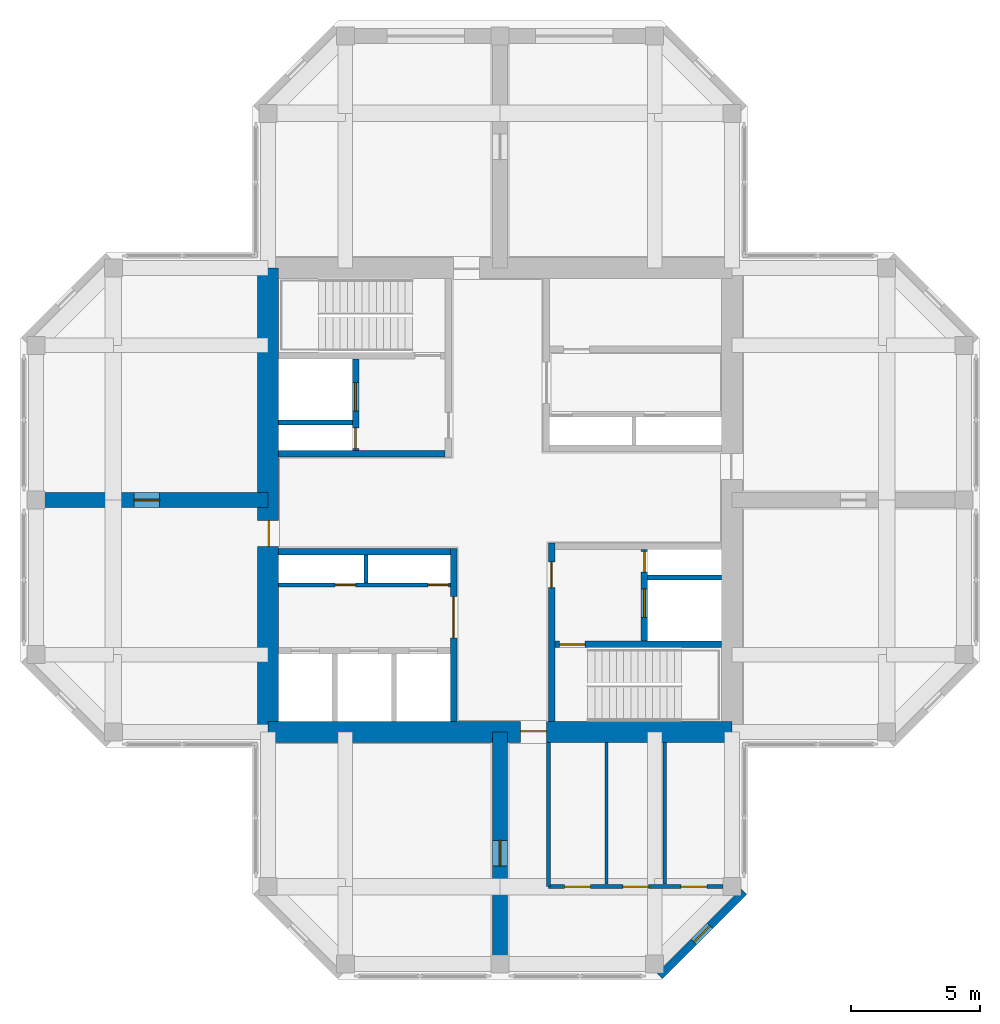
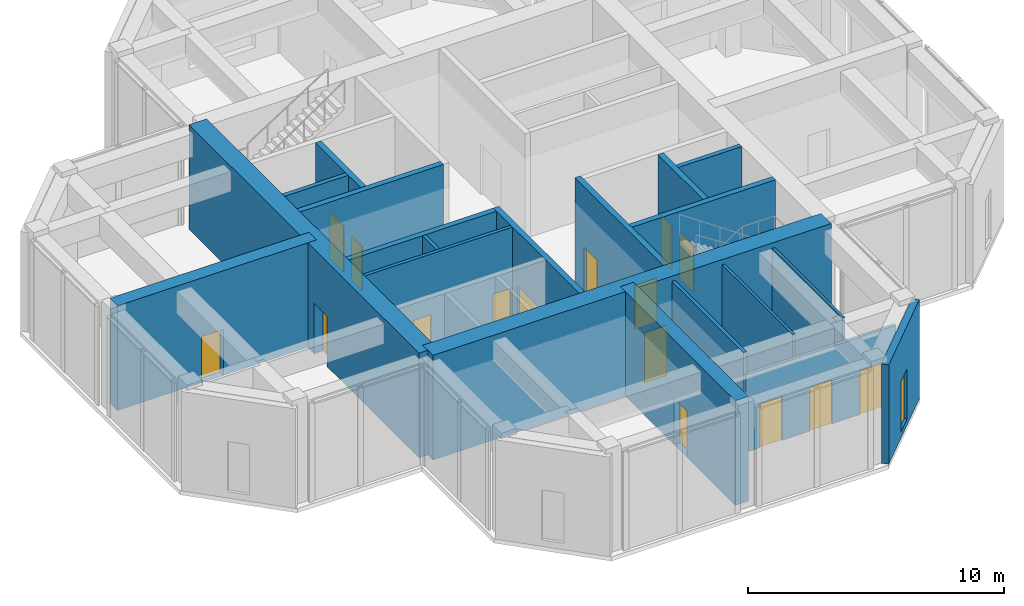
# One storey, part 5 of 8: 20 walls, 16 doors, 1 window, 17 openings.
"""IFC4 building model written with IfcOpenShell, lengths in metres."""

from ifc_helpers import new_model, si_unit, direction, frame, frame_2d, origin, place, context, subcontext, project, spatial, rectangle, hollow_rectangle, extrude, material, layer, layer_set, constituent, constituent_set, type_object, element, fill, save


model = new_model("IFC4")

# Units and contexts
model_context = context("Model", 3, precision=1e-05, world=origin(), true_north=direction((0.0, 1.0)))
body_context = subcontext(model_context, "Body", "Model", "MODEL_VIEW")
ifc_project = project(units=[si_unit("LENGTHUNIT", "METRE"), si_unit("AREAUNIT", "SQUARE_METRE"), si_unit("VOLUMEUNIT", "CUBIC_METRE"), si_unit("PLANEANGLEUNIT", "RADIAN"), si_unit("MASSUNIT", "GRAM", prefix="KILO")], contexts=[model_context])

# Site, building, storey
site_placement = place(None, origin())
site = spatial("IfcSite", under=ifc_project, at=site_placement, CompositionType="ELEMENT")
building_placement = place(site_placement, origin())
building = spatial("IfcBuilding", under=site, at=building_placement, Name="Torre Cruceta", CompositionType="ELEMENT")
storey_placement = place(building_placement, frame((0.0, 0.0, 288.300048828125)))
storey = spatial("IfcBuildingStorey", under=building, at=storey_placement, Name="L75", CompositionType="ELEMENT", Elevation=288.300048828125)

# Wall
ifc_material_1 = material(Name="Concrete G60 (fck 60 MPa)", Category="concrete")
ifc_layer_1 = layer(ifc_material_1, 0.25)
ifc_layer_set_1 = layer_set([ifc_layer_1], Name="Concrete G60 (fck 60 MPa)")
wall_type_1 = type_object("IfcWallType", Name="CORE INNER WALL 250 G60", PredefinedType="SHEAR", material=ifc_layer_set_1)
wall_1_placement = place(storey_placement, frame((-2.125, 1.800048828125, 0.0), z_axis=(0.0, 0.0, 1.0), x_axis=(-1.0, 0.0, 0.0)))
element("IfcWall", 1, at=wall_1_placement, inside=storey, type_object=wall_type_1, Name="CW4 L75 NW-CV", PredefinedType="SHEAR", context=body_context, shape_type="SweptSolid", body=[
    extrude(rectangle(XDim=6.47509765625, YDim=0.25, at=frame_2d((3.237548828125, 0.0))), origin(), (0.0, 0.0, 1.0), 5.0),
])

# Wall, openings, doors
wall_2_placement = place(storey_placement, frame((-5.60009765625, 1.925048828125, 0.0), z_axis=(0.0, 0.0, 1.0), x_axis=(0.0, 1.0, 0.0)))
wall_2 = element("IfcWall", 2, at=wall_2_placement, inside=storey, type_object=wall_type_1, Name="CW4 L75 NW-FU", PredefinedType="SHEAR", context=body_context, shape_type="SweptSolid", body=[
    extrude(rectangle(XDim=3.550048828125, YDim=0.25, at=frame_2d((1.77490234375, 0.0))), origin(), (0.0, 0.0, 1.0), 5.0),
])
opening_1_placement = place(wall_2_placement, frame((1.52490234375, 0.0, 0.0)))
opening_1 = element("IfcOpeningElement", 3, at=opening_1_placement, cuts=wall_2, Name="Opening LD1", PredefinedType="OPENING", context=body_context, shape_type="SweptSolid", body=[
    extrude(rectangle(XDim=1.10009765625, YDim=2.199951171875, at=frame_2d((0.550048828125, 1.10009765625))), frame((0.0, 0.135009765625, 0.0), z_axis=(0.0, -1.0, 0.0), x_axis=(1.0, 0.0, 0.0)), (0.0, 0.0, 1.0), 0.27001953125),
])
opening_2_placement = place(wall_2_placement, frame((0.074951171875, 0.0, 0.0)))
opening_2 = element("IfcOpeningElement", 4, at=opening_2_placement, cuts=wall_2, Name="Opening D5", PredefinedType="OPENING", context=body_context, shape_type="SweptSolid", body=[
    extrude(rectangle(XDim=0.800048828125, YDim=2.10009765625, at=frame_2d((0.39990234375, 1.050048828125))), frame((0.0, 0.135009765625, 0.0), z_axis=(0.0, -1.0, 0.0), x_axis=(1.0, 0.0, 0.0)), (0.0, 0.0, 1.0), 0.27001953125),
])
ifc_material_2 = material(Name="Stainless steel 1.4401", Category="steel")
door_type_1 = type_object("IfcDoorType", Name="LIFT LANDING DOOR 1100X2200", OperationType="DOUBLE_DOOR_SLIDING", PredefinedType="DOOR", material=ifc_material_2)
door_1_placement = place(opening_1_placement, origin())
door_1 = element("IfcDoor", 5, at=door_1_placement, inside=storey, type_object=door_type_1, Name="Lift landing door FL1", OperationType="DOUBLE_DOOR_SLIDING", OverallHeight=2.199951171875, OverallWidth=1.10009765625, PredefinedType="DOOR", context=body_context, shape_type="SweptSolid", body=[
    extrude(rectangle(XDim=1.10009765625, YDim=2.199951171875, at=frame_2d((0.550048828125, 1.10009765625))), frame((0.0, 0.02490234375, 0.0), z_axis=(0.0, -1.0, 0.0), x_axis=(1.0, 0.0, 0.0)), (0.0, 0.0, 1.0), 0.050048828125),
])
fill(opening_1, door_1)
ifc_material_3 = material(Name="Steel DX51D", Category="steel")
ifc_constituent_1 = constituent(ifc_material_3, Name="Leaf and frame")
ifc_material_4 = material(Name="Polyester powder coating", Category="paint")
ifc_constituent_2 = constituent(ifc_material_4, Name="Finish")
ifc_constituent_set_1 = constituent_set(constituents=[ifc_constituent_1, ifc_constituent_2], Name="Steel fire door")
door_type_2 = type_object("IfcDoorType", Name="RISER ACCESS DOOR 800X2100", OperationType="SINGLE_SWING_LEFT", PredefinedType="DOOR", material=ifc_constituent_set_1)
door_2_placement = place(opening_2_placement, origin())
door_2 = element("IfcDoor", 6, at=door_2_placement, inside=storey, type_object=door_type_2, Name="D5 L75 NW-RISER", OperationType="SINGLE_SWING_LEFT", OverallHeight=2.10009765625, OverallWidth=0.800048828125, PredefinedType="DOOR", context=body_context, shape_type="SweptSolid", body=[
    extrude(rectangle(XDim=0.800048828125, YDim=2.10009765625, at=frame_2d((0.39990234375, 1.050048828125))), frame((0.0, 0.02490234375, 0.0), z_axis=(0.0, -1.0, 0.0), x_axis=(1.0, 0.0, 0.0)), (0.0, 0.0, 1.0), 0.050048828125),
])
fill(opening_2, door_2)

# Wall, opening, door
wall_3_placement = place(storey_placement, frame((-1.800048828125, -1.875, 0.0), z_axis=(0.0, 0.0, 1.0), x_axis=(0.0, -1.0, 0.0)))
wall_3 = element("IfcWall", 7, at=wall_3_placement, inside=storey, type_object=wall_type_1, Name="CW4 L75 SW-CU", PredefinedType="SHEAR", context=body_context, shape_type="SweptSolid", body=[
    extrude(rectangle(XDim=6.72509765625, YDim=0.25, at=frame_2d((3.362548828125, 0.0))), origin(), (0.0, 0.0, 1.0), 5.0),
])
opening_3_placement = place(wall_3_placement, frame((1.875, 0.0, 0.0)))
opening_3 = element("IfcOpeningElement", 8, at=opening_3_placement, cuts=wall_3, Name="Opening D8", PredefinedType="OPENING", context=body_context, shape_type="SweptSolid", body=[
    extrude(rectangle(XDim=1.60009765625, YDim=2.39990234375, at=frame_2d((0.800048828125, 1.199951171875))), frame((0.0, 0.135009765625, 0.0), z_axis=(0.0, -1.0, 0.0), x_axis=(1.0, 0.0, 0.0)), (0.0, 0.0, 1.0), 0.27001953125),
])
ifc_material_5 = material(Name="Steel DX51D", Category="steel")
ifc_constituent_3 = constituent(ifc_material_5, Name="Leaf and frame")
ifc_material_6 = material(Name="Polyester powder coating", Category="paint")
ifc_constituent_4 = constituent(ifc_material_6, Name="Finish")
ifc_material_7 = material(Name="Fire-resisting glass", Category="glass")
ifc_constituent_5 = constituent(ifc_material_7, Name="Vision panel")
ifc_constituent_set_2 = constituent_set(constituents=[ifc_constituent_3, ifc_constituent_4, ifc_constituent_5], Name="Steel fire door with vision panels")
door_type_3 = type_object("IfcDoorType", Name="LIFT LOBBY DOUBLE DOOR 1600X2400", OperationType="DOUBLE_DOOR_DOUBLE_SWING", PredefinedType="DOOR", material=ifc_constituent_set_2)
door_3_placement = place(opening_3_placement, origin())
door_3 = element("IfcDoor", 9, at=door_3_placement, inside=storey, type_object=door_type_3, Name="D8 L75 SW-LOBBY", OperationType="DOUBLE_DOOR_DOUBLE_SWING", OverallHeight=2.39990234375, OverallWidth=1.60009765625, PredefinedType="DOOR", context=body_context, shape_type="SweptSolid", body=[
    extrude(rectangle(XDim=1.60009765625, YDim=2.39990234375, at=frame_2d((0.800048828125, 1.199951171875))), frame((0.0, 0.02490234375, 0.0), z_axis=(0.0, -1.0, 0.0), x_axis=(1.0, 0.0, 0.0)), (0.0, 0.0, 1.0), 0.050048828125),
])
fill(opening_3, door_3)

# Wall
wall_4_placement = place(storey_placement, frame((-1.925048828125, -2.0, 0.0), z_axis=(0.0, 0.0, 1.0), x_axis=(-1.0, 0.0, 0.0)))
element("IfcWall", 10, at=wall_4_placement, inside=storey, type_object=wall_type_1, Name="CW4 L75 SW-CV", PredefinedType="SHEAR", context=body_context, shape_type="SweptSolid", body=[
    extrude(rectangle(XDim=6.675048828125, YDim=0.25, at=frame_2d((3.33740234375, 0.0))), origin(), (0.0, 0.0, 1.0), 5.0),
])

# Wall, opening, door
wall_5_placement = place(storey_placement, frame((2.0, -1.675048828125, 0.0), z_axis=(0.0, 0.0, 1.0), x_axis=(0.0, -1.0, 0.0)))
wall_5 = element("IfcWall", 11, at=wall_5_placement, inside=storey, type_object=wall_type_1, Name="CW4 L75 SE-CU", PredefinedType="SHEAR", context=body_context, shape_type="SweptSolid", body=[
    extrude(rectangle(XDim=6.925048828125, YDim=0.25, at=frame_2d((3.46240234375, 0.0))), origin(), (0.0, 0.0, 1.0), 5.0),
])
opening_4_placement = place(wall_5_placement, frame((0.72509765625, 0.0, 0.0)))
opening_4 = element("IfcOpeningElement", 12, at=opening_4_placement, cuts=wall_5, Name="Opening D3", PredefinedType="OPENING", context=body_context, shape_type="SweptSolid", body=[
    extrude(rectangle(XDim=1.0, YDim=2.10009765625, at=frame_2d((0.5, 1.050048828125))), frame((0.0, 0.135009765625, 0.0), z_axis=(0.0, -1.0, 0.0), x_axis=(1.0, 0.0, 0.0)), (0.0, 0.0, 1.0), 0.27001953125),
])
ifc_material_8 = material(Name="Steel DX51D", Category="steel")
ifc_constituent_6 = constituent(ifc_material_8, Name="Leaf and frame")
ifc_material_9 = material(Name="Polyester powder coating", Category="paint")
ifc_constituent_7 = constituent(ifc_material_9, Name="Finish")
ifc_constituent_set_3 = constituent_set(constituents=[ifc_constituent_6, ifc_constituent_7], Name="Steel fire door")
door_type_4 = type_object("IfcDoorType", Name="FIRE DOOR 1000X2100", OperationType="SINGLE_SWING_LEFT", PredefinedType="DOOR", material=ifc_constituent_set_3)
door_4_placement = place(opening_4_placement, origin())
door_4 = element("IfcDoor", 13, at=door_4_placement, inside=storey, type_object=door_type_4, Name="D3 L75 SE-LOBBY", OperationType="SINGLE_SWING_LEFT", OverallHeight=2.10009765625, OverallWidth=1.0, PredefinedType="DOOR", context=body_context, shape_type="SweptSolid", body=[
    extrude(rectangle(XDim=1.0, YDim=2.10009765625, at=frame_2d((0.5, 1.050048828125))), frame((0.0, 0.02490234375, 0.0), z_axis=(0.0, -1.0, 0.0), x_axis=(1.0, 0.0, 0.0)), (0.0, 0.0, 1.0), 0.050048828125),
])
fill(opening_4, door_4)

wall_6_placement = place(storey_placement, frame((2.125, -5.60009765625, 0.0), z_axis=(0.0, 0.0, 1.0), x_axis=(1.0, 0.0, 0.0)))
wall_6 = element("IfcWall", 14, at=wall_6_placement, inside=storey, type_object=wall_type_1, Name="CW4 L75 SE-SV", PredefinedType="SHEAR", context=body_context, shape_type="SweptSolid", body=[
    extrude(rectangle(XDim=6.47509765625, YDim=0.25, at=frame_2d((3.237548828125, 0.0))), origin(), (0.0, 0.0, 1.0), 5.0),
])
opening_5_placement = place(wall_6_placement, frame((0.175048828125, 0.0, 0.0)))
opening_5 = element("IfcOpeningElement", 15, at=opening_5_placement, cuts=wall_6, Name="Opening D3", PredefinedType="OPENING", context=body_context, shape_type="SweptSolid", body=[
    extrude(rectangle(XDim=1.0, YDim=2.10009765625, at=frame_2d((0.5, 1.050048828125))), frame((0.0, 0.135009765625, 0.0), z_axis=(0.0, -1.0, 0.0), x_axis=(1.0, 0.0, 0.0)), (0.0, 0.0, 1.0), 0.27001953125),
])
door_5_placement = place(opening_5_placement, frame((1.0, 0.0, 0.0), z_axis=(0.0, 0.0, 1.0), x_axis=(-1.0, 0.0, 0.0)))
door_5 = element("IfcDoor", 16, at=door_5_placement, inside=storey, type_object=door_type_4, Name="D3 L75 SE-STAIR", OperationType="SINGLE_SWING_RIGHT", OverallHeight=2.10009765625, OverallWidth=1.0, PredefinedType="DOOR", context=body_context, shape_type="SweptSolid", body=[
    extrude(rectangle(XDim=1.0, YDim=2.10009765625, at=frame_2d((0.5, 1.050048828125))), frame((0.0, 0.025146484375, 0.0), z_axis=(0.0, -1.0, 0.0), x_axis=(1.0, 0.0, 0.0)), (0.0, 0.0, 1.0), 0.050048828125),
])
fill(opening_5, door_5)

# Wall, openings, doors
wall_7_placement = place(storey_placement, frame((5.60009765625, -1.925048828125, 0.0), z_axis=(0.0, 0.0, 1.0), x_axis=(0.0, -1.0, 0.0)))
wall_7 = element("IfcWall", 17, at=wall_7_placement, inside=storey, type_object=wall_type_1, Name="CW4 L75 SE-FU", PredefinedType="SHEAR", context=body_context, shape_type="SweptSolid", body=[
    extrude(rectangle(XDim=3.550048828125, YDim=0.25, at=frame_2d((1.77490234375, 0.0))), origin(), (0.0, 0.0, 1.0), 5.0),
])
opening_6_placement = place(wall_7_placement, frame((1.52490234375, 0.0, 0.0)))
opening_6 = element("IfcOpeningElement", 18, at=opening_6_placement, cuts=wall_7, Name="Opening LD1", PredefinedType="OPENING", context=body_context, shape_type="SweptSolid", body=[
    extrude(rectangle(XDim=1.10009765625, YDim=2.199951171875, at=frame_2d((0.550048828125, 1.10009765625))), frame((0.0, 0.135009765625, 0.0), z_axis=(0.0, -1.0, 0.0), x_axis=(1.0, 0.0, 0.0)), (0.0, 0.0, 1.0), 0.27001953125),
])
opening_7_placement = place(wall_7_placement, frame((0.074951171875, 0.0, 0.0)))
opening_7 = element("IfcOpeningElement", 19, at=opening_7_placement, cuts=wall_7, Name="Opening D5", PredefinedType="OPENING", context=body_context, shape_type="SweptSolid", body=[
    extrude(rectangle(XDim=0.800048828125, YDim=2.10009765625, at=frame_2d((0.39990234375, 1.050048828125))), frame((0.0, 0.135009765625, 0.0), z_axis=(0.0, -1.0, 0.0), x_axis=(1.0, 0.0, 0.0)), (0.0, 0.0, 1.0), 0.27001953125),
])
door_6_placement = place(opening_6_placement, origin())
door_6 = element("IfcDoor", 20, at=door_6_placement, inside=storey, type_object=door_type_1, Name="Lift landing door FL2", OperationType="DOUBLE_DOOR_SLIDING", OverallHeight=2.199951171875, OverallWidth=1.10009765625, PredefinedType="DOOR", context=body_context, shape_type="SweptSolid", body=[
    extrude(rectangle(XDim=1.10009765625, YDim=2.199951171875, at=frame_2d((0.550048828125, 1.10009765625))), frame((0.0, 0.02490234375, 0.0), z_axis=(0.0, -1.0, 0.0), x_axis=(1.0, 0.0, 0.0)), (0.0, 0.0, 1.0), 0.050048828125),
])
fill(opening_6, door_6)
door_7_placement = place(opening_7_placement, origin())
door_7 = element("IfcDoor", 21, at=door_7_placement, inside=storey, type_object=door_type_2, Name="D5 L75 SE-RISER", OperationType="SINGLE_SWING_LEFT", OverallHeight=2.10009765625, OverallWidth=0.800048828125, PredefinedType="DOOR", context=body_context, shape_type="SweptSolid", body=[
    extrude(rectangle(XDim=0.800048828125, YDim=2.10009765625, at=frame_2d((0.39990234375, 1.050048828125))), frame((0.0, 0.02490234375, 0.0), z_axis=(0.0, -1.0, 0.0), x_axis=(1.0, 0.0, 0.0)), (0.0, 0.0, 1.0), 0.050048828125),
])
fill(opening_7, door_7)

# Wall, opening, door
ifc_material_10 = material(Name="Concrete G60 (fck 60 MPa)", Category="concrete")
ifc_layer_2 = layer(ifc_material_10, 0.800048828125)
ifc_layer_set_2 = layer_set([ifc_layer_2], Name="Concrete G60 (fck 60 MPa)")
wall_type_2 = type_object("IfcWallType", Name="CORE WALL 800 G60", PredefinedType="SHEAR", material=ifc_layer_set_2)
wall_8_placement = place(storey_placement, frame((-9.0, -9.0, 0.0), z_axis=(0.0, 0.0, 1.0), x_axis=(1.0, 0.0, 0.0)))
wall_8 = element("IfcWall", 22, at=wall_8_placement, inside=storey, type_object=wall_type_2, Name="CW3 L75 CW-S", PredefinedType="SHEAR", context=body_context, shape_type="SweptSolid", body=[
    extrude(rectangle(XDim=18.0, YDim=0.800048828125, at=frame_2d((9.0, 0.0))), origin(), (0.0, 0.0, 1.0), 5.0),
])
opening_8_placement = place(wall_8_placement, frame((9.800048828125, 0.0, 0.0)))
opening_8 = element("IfcOpeningElement", 23, at=opening_8_placement, cuts=wall_8, Name="Opening D4", PredefinedType="OPENING", context=body_context, shape_type="SweptSolid", body=[
    extrude(rectangle(XDim=1.0, YDim=2.39990234375, at=frame_2d((0.5, 1.199951171875))), frame((0.0, 0.409912109375, 0.0), z_axis=(0.0, -1.0, 0.0), x_axis=(1.0, 0.0, 0.0)), (0.0, 0.0, 1.0), 0.820068359375),
])
ifc_material_11 = material(Name="Steel DX51D", Category="steel")
ifc_constituent_8 = constituent(ifc_material_11, Name="Leaf and frame")
ifc_material_12 = material(Name="Polyester powder coating", Category="paint")
ifc_constituent_9 = constituent(ifc_material_12, Name="Finish")
ifc_constituent_set_4 = constituent_set(constituents=[ifc_constituent_8, ifc_constituent_9], Name="Steel fire door")
door_type_5 = type_object("IfcDoorType", Name="CORE ARM DOOR 1000X2400", OperationType="SINGLE_SWING_RIGHT", PredefinedType="DOOR", material=ifc_constituent_set_4)
door_8_placement = place(opening_8_placement, frame((1.0, 0.0, 0.0), z_axis=(0.0, 0.0, 1.0), x_axis=(-1.0, 0.0, 0.0)))
door_8 = element("IfcDoor", 24, at=door_8_placement, inside=storey, type_object=door_type_5, Name="D4 L75 CW-S", OperationType="SINGLE_SWING_LEFT", OverallHeight=2.39990234375, OverallWidth=1.0, PredefinedType="DOOR", context=body_context, shape_type="SweptSolid", body=[
    extrude(rectangle(XDim=1.0, YDim=2.39990234375, at=frame_2d((0.5, 1.199951171875))), frame((0.0, -0.005126953125, 0.0), z_axis=(0.0, -1.0, 0.0), x_axis=(1.0, 0.0, 0.0)), (0.0, 0.0, 1.0), 0.050048828125),
])
fill(opening_8, door_8)

wall_9_placement = place(storey_placement, frame((-9.0, 9.0, 0.0), z_axis=(0.0, 0.0, 1.0), x_axis=(0.0, -1.0, 0.0)))
wall_9 = element("IfcWall", 25, at=wall_9_placement, inside=storey, type_object=wall_type_2, Name="CW3 L75 CW-W", PredefinedType="SHEAR", context=body_context, shape_type="SweptSolid", body=[
    extrude(rectangle(XDim=18.0, YDim=0.800048828125, at=frame_2d((9.0, 0.0))), origin(), (0.0, 0.0, 1.0), 5.0),
])
opening_9_placement = place(wall_9_placement, frame((9.800048828125, 0.0, 0.0)))
opening_9 = element("IfcOpeningElement", 26, at=opening_9_placement, cuts=wall_9, Name="Opening D4", PredefinedType="OPENING", context=body_context, shape_type="SweptSolid", body=[
    extrude(rectangle(XDim=1.0, YDim=2.39990234375, at=frame_2d((0.5, 1.199951171875))), frame((0.0, 0.409912109375, 0.0), z_axis=(0.0, -1.0, 0.0), x_axis=(1.0, 0.0, 0.0)), (0.0, 0.0, 1.0), 0.820068359375),
])
door_9_placement = place(opening_9_placement, frame((1.0, 0.0, 0.0), z_axis=(0.0, 0.0, 1.0), x_axis=(-1.0, 0.0, 0.0)))
door_9 = element("IfcDoor", 27, at=door_9_placement, inside=storey, type_object=door_type_5, Name="D4 L75 CW-W", OperationType="SINGLE_SWING_RIGHT", OverallHeight=2.39990234375, OverallWidth=1.0, PredefinedType="DOOR", context=body_context, shape_type="SweptSolid", body=[
    extrude(rectangle(XDim=1.0, YDim=2.39990234375, at=frame_2d((0.5, 1.199951171875))), frame((0.0, -0.005126953125, 0.0), z_axis=(0.0, -1.0, 0.0), x_axis=(1.0, 0.0, 0.0)), (0.0, 0.0, 1.0), 0.050048828125),
])
fill(opening_9, door_9)

# Wall, opening, window
ifc_material_13 = material(Name="Concrete G30 (fck 30 MPa)", Category="concrete")
ifc_layer_3 = layer(ifc_material_13, 0.300048828125)
ifc_layer_set_3 = layer_set([ifc_layer_3], Name="Concrete G30 (fck 30 MPa)")
wall_type_3 = type_object("IfcWallType", Name="EXPOSED CONCRETE FACADE WALL 300", PredefinedType="SOLIDWALL", material=ifc_layer_set_3)
wall_10_placement = place(storey_placement, frame((6.194580078125, -18.469970703125, 0.0), z_axis=(0.0, 0.0, 1.0), x_axis=(0.707106781187, 0.707106781187, 0.0)))
wall_10 = element("IfcWall", 28, at=wall_10_placement, inside=storey, type_object=wall_type_3, Name="EW1 facade wall L75 S chamfer 18", PredefinedType="SOLIDWALL", context=body_context, shape_type="SweptSolid", body=[
    extrude(rectangle(XDim=4.632080078125, YDim=0.300048828125, at=frame_2d((2.31591796875, 0.0))), origin(), (0.0, 0.0, 1.0), 4.75),
])
opening_10_placement = place(wall_10_placement, frame((1.865966796875, 0.0, 0.300048828125)))
opening_10 = element("IfcOpeningElement", 29, at=opening_10_placement, cuts=wall_10, Name="Opening WN5", PredefinedType="OPENING", context=body_context, shape_type="SweptSolid", body=[
    extrude(rectangle(XDim=0.89990234375, YDim=2.39990234375, at=frame_2d((0.449951171875, 1.199951171875))), frame((0.0, 0.159912109375, 0.0), z_axis=(0.0, -1.0, 0.0), x_axis=(1.0, 0.0, 0.0)), (0.0, 0.0, 1.0), 0.320068359375),
])
ifc_material_14 = material(Name="Aluminium window frame", Category="aluminium")
ifc_constituent_10 = constituent(ifc_material_14, Name="Frame")
ifc_material_15 = material(Name="Laminated insulating glass unit, low-iron clear", Category="glass")
ifc_constituent_11 = constituent(ifc_material_15, Name="Glazing")
ifc_constituent_set_5 = constituent_set(constituents=[ifc_constituent_10, ifc_constituent_11], Name="Aluminium window")
window_type = type_object("IfcWindowType", Name="CHAMFER SLOT WINDOW 900X2400", PartitioningType="SINGLE_PANEL", PredefinedType="WINDOW", material=ifc_constituent_set_5)
window_placement = place(opening_10_placement, origin())
window = element("IfcWindow", 30, at=window_placement, inside=storey, type_object=window_type, Name="WN5 L75 S 1", OverallHeight=2.39990234375, OverallWidth=0.89990234375, PartitioningType="SINGLE_PANEL", PredefinedType="WINDOW", context=body_context, shape_type="SweptSolid", body=[
    extrude(hollow_rectangle(XDim=0.89990234375, YDim=2.39990234375, WallThickness=0.06005859375, at=frame_2d((0.449951171875, 1.199951171875))), frame((0.0, 0.030029296875, 0.0), z_axis=(0.0, -1.0, 0.0), x_axis=(1.0, 0.0, 0.0)), (0.0, 0.0, 1.0), 0.06005859375),
    extrude(rectangle(XDim=0.77880859375, YDim=2.27880859375, at=frame_2d((0.449951171875, 1.199951171875))), frame((0.0, 0.030029296875, 0.0), z_axis=(0.0, -1.0, 0.0), x_axis=(1.0, 0.0, 0.0)), (0.0, 0.0, 1.0), 0.06005859375),
])
fill(opening_10, window)

# Walls
ifc_material_16 = material(Name="Concrete G35 (fck 35 MPa)", Category="concrete")
ifc_layer_4 = layer(ifc_material_16, 0.199951171875)
ifc_layer_set_4 = layer_set([ifc_layer_4], Name="Concrete G35 (fck 35 MPa)")
wall_type_4 = type_object("IfcWallType", Name="LIFT SHAFT WALL 200", PredefinedType="PARTITIONING", material=ifc_layer_set_4)
for number, where, z_axis, x_axis, name in (
    (31, (-5.72509765625, 3.0, 0.0), (0.0, 0.0, 1.0), (-1.0, 0.0, 0.0), "SW1 L75 NW-FR"),
    (32, (5.72509765625, -3.0, 0.0), (0.0, 0.0, 1.0), (1.0, 0.0, 0.0), "SW1 L75 SE-FR"),
):
    element("IfcWall", number, at=place(storey_placement, frame(where, z_axis=z_axis, x_axis=x_axis)), inside=storey, type_object=wall_type_4, Name=name, PredefinedType="PARTITIONING", context=body_context, shape_type="SweptSolid", body=[
        extrude(rectangle(XDim=2.875, YDim=0.199951171875, at=frame_2d((1.4375, 0.0))), origin(), (0.0, 0.0, 1.0), 5.0),
    ])

# Wall, openings, doors
ifc_material_17 = material(Name="Plasterboard on steel studs", Category="steel")
ifc_layer_5 = layer(ifc_material_17, 0.14990234375)
ifc_layer_set_5 = layer_set([ifc_layer_5], Name="Plasterboard on steel studs")
wall_type_5 = type_object("IfcWallType", Name="PARTITION 150", PredefinedType="PARTITIONING", material=ifc_layer_set_5)
wall_11_placement = place(storey_placement, frame((1.875, -15.0, 0.0), z_axis=(0.0, 0.0, 1.0), x_axis=(1.0, 0.0, 0.0)))
wall_11 = element("IfcWall", 33, at=wall_11_placement, inside=storey, type_object=wall_type_5, Name="PT1 L75-S-BFL", PredefinedType="PARTITIONING", context=body_context, shape_type="SweptSolid", body=[
    extrude(rectangle(XDim=6.77490234375, YDim=0.14990234375, at=frame_2d((3.387451171875, 0.0))), origin(), (0.0, 0.0, 1.0), 3.699951171875),
])
opening_11_placement = place(wall_11_placement, frame((0.629150390625, 0.0, 0.0)))
opening_11 = element("IfcOpeningElement", 34, at=opening_11_placement, cuts=wall_11, Name="Opening D3", PredefinedType="OPENING", context=body_context, shape_type="SweptSolid", body=[
    extrude(rectangle(XDim=1.0, YDim=2.10009765625, at=frame_2d((0.5, 1.050048828125))), frame((0.0, 0.0849609375, 0.0), z_axis=(0.0, -1.0, 0.0), x_axis=(1.0, 0.0, 0.0)), (0.0, 0.0, 1.0), 0.169921875),
])
opening_12_placement = place(wall_11_placement, frame((2.887451171875, 0.0, 0.0)))
opening_12 = element("IfcOpeningElement", 35, at=opening_12_placement, cuts=wall_11, Name="Opening D3", PredefinedType="OPENING", context=body_context, shape_type="SweptSolid", body=[
    extrude(rectangle(XDim=1.0, YDim=2.10009765625, at=frame_2d((0.5, 1.050048828125))), frame((0.0, 0.0849609375, 0.0), z_axis=(0.0, -1.0, 0.0), x_axis=(1.0, 0.0, 0.0)), (0.0, 0.0, 1.0), 0.169921875),
])
opening_13_placement = place(wall_11_placement, frame((5.145751953125, 0.0, 0.0)))
opening_13 = element("IfcOpeningElement", 36, at=opening_13_placement, cuts=wall_11, Name="Opening D3", PredefinedType="OPENING", context=body_context, shape_type="SweptSolid", body=[
    extrude(rectangle(XDim=1.0, YDim=2.10009765625, at=frame_2d((0.5, 1.050048828125))), frame((0.0, 0.0849609375, 0.0), z_axis=(0.0, -1.0, 0.0), x_axis=(1.0, 0.0, 0.0)), (0.0, 0.0, 1.0), 0.169921875),
])
door_10_placement = place(opening_11_placement, origin())
door_10 = element("IfcDoor", 37, at=door_10_placement, inside=storey, type_object=door_type_4, Name="D3 L75-S-BFL-D1", OperationType="SINGLE_SWING_LEFT", OverallHeight=2.10009765625, OverallWidth=1.0, PredefinedType="DOOR", context=body_context, shape_type="SweptSolid", body=[
    extrude(rectangle(XDim=1.0, YDim=2.10009765625, at=frame_2d((0.5, 1.050048828125))), frame((0.0, 0.02490234375, 0.0), z_axis=(0.0, -1.0, 0.0), x_axis=(1.0, 0.0, 0.0)), (0.0, 0.0, 1.0), 0.050048828125),
])
fill(opening_11, door_10)
door_11_placement = place(opening_12_placement, origin())
door_11 = element("IfcDoor", 38, at=door_11_placement, inside=storey, type_object=door_type_4, Name="D3 L75-S-BFL-D2", OperationType="SINGLE_SWING_LEFT", OverallHeight=2.10009765625, OverallWidth=1.0, PredefinedType="DOOR", context=body_context, shape_type="SweptSolid", body=[
    extrude(rectangle(XDim=1.0, YDim=2.10009765625, at=frame_2d((0.5, 1.050048828125))), frame((0.0, 0.02490234375, 0.0), z_axis=(0.0, -1.0, 0.0), x_axis=(1.0, 0.0, 0.0)), (0.0, 0.0, 1.0), 0.050048828125),
])
fill(opening_12, door_11)
door_12_placement = place(opening_13_placement, origin())
door_12 = element("IfcDoor", 39, at=door_12_placement, inside=storey, type_object=door_type_4, Name="D3 L75-S-BFL-D3", OperationType="SINGLE_SWING_LEFT", OverallHeight=2.10009765625, OverallWidth=1.0, PredefinedType="DOOR", context=body_context, shape_type="SweptSolid", body=[
    extrude(rectangle(XDim=1.0, YDim=2.10009765625, at=frame_2d((0.5, 1.050048828125))), frame((0.0, 0.02490234375, 0.0), z_axis=(0.0, -1.0, 0.0), x_axis=(1.0, 0.0, 0.0)), (0.0, 0.0, 1.0), 0.050048828125),
])
fill(opening_13, door_12)

# Wall
wall_12_placement = place(storey_placement, frame((1.875, -9.39990234375, 0.0), z_axis=(0.0, 0.0, 1.0), x_axis=(0.0, -1.0, 0.0)))
element("IfcWall", 40, at=wall_12_placement, inside=storey, type_object=wall_type_5, Name="PT1 L75-S-BSL", PredefinedType="PARTITIONING", context=body_context, shape_type="SweptSolid", body=[
    extrude(rectangle(XDim=5.60009765625, YDim=0.14990234375, at=frame_2d((2.800048828125, 0.0))), origin(), (0.0, 0.0, 1.0), 4.75),
])

# Wall, openings, doors
ifc_material_18 = material(Name="Concrete block masonry", Category="masonry")
ifc_layer_6 = layer(ifc_material_18, 0.14990234375)
ifc_layer_set_6 = layer_set([ifc_layer_6], Name="Concrete block masonry")
wall_type_6 = type_object("IfcWallType", Name="RISER WALL 150", PredefinedType="PARTITIONING", material=ifc_layer_set_6)
wall_13_placement = place(storey_placement, frame((-1.925048828125, -3.300048828125, 0.0), z_axis=(0.0, 0.0, 1.0), x_axis=(-1.0, 0.0, 0.0)))
wall_13 = element("IfcWall", 41, at=wall_13_placement, inside=storey, type_object=wall_type_6, Name="SW7 L75 SW-RV", PredefinedType="PARTITIONING", context=body_context, shape_type="SweptSolid", body=[
    extrude(rectangle(XDim=6.675048828125, YDim=0.14990234375, at=frame_2d((3.33740234375, 0.0))), origin(), (0.0, 0.0, 1.0), 5.0),
])
opening_14_placement = place(wall_13_placement, frame((0.074951171875, 0.0, 0.0)))
opening_14 = element("IfcOpeningElement", 42, at=opening_14_placement, cuts=wall_13, Name="Opening D5", PredefinedType="OPENING", context=body_context, shape_type="SweptSolid", body=[
    extrude(rectangle(XDim=0.800048828125, YDim=2.10009765625, at=frame_2d((0.39990234375, 1.050048828125))), frame((0.0, 0.0849609375, 0.0), z_axis=(0.0, -1.0, 0.0), x_axis=(1.0, 0.0, 0.0)), (0.0, 0.0, 1.0), 0.169921875),
])
opening_15_placement = place(wall_13_placement, frame((3.675048828125, 0.0, 0.0)))
opening_15 = element("IfcOpeningElement", 43, at=opening_15_placement, cuts=wall_13, Name="Opening D5", PredefinedType="OPENING", context=body_context, shape_type="SweptSolid", body=[
    extrude(rectangle(XDim=0.800048828125, YDim=2.10009765625, at=frame_2d((0.39990234375, 1.050048828125))), frame((0.0, 0.0849609375, 0.0), z_axis=(0.0, -1.0, 0.0), x_axis=(1.0, 0.0, 0.0)), (0.0, 0.0, 1.0), 0.169921875),
])
door_13_placement = place(opening_14_placement, frame((0.800048828125, 0.0, 0.0), z_axis=(0.0, 0.0, 1.0), x_axis=(-1.0, 0.0, 0.0)))
door_13 = element("IfcDoor", 44, at=door_13_placement, inside=storey, type_object=door_type_2, Name="D5 L75 SW-RISER1", OperationType="SINGLE_SWING_RIGHT", OverallHeight=2.10009765625, OverallWidth=0.800048828125, PredefinedType="DOOR", context=body_context, shape_type="SweptSolid", body=[
    extrude(rectangle(XDim=0.800048828125, YDim=2.10009765625, at=frame_2d((0.400146484375, 1.050048828125))), frame((0.0, 0.025146484375, 0.0), z_axis=(0.0, -1.0, 0.0), x_axis=(1.0, 0.0, 0.0)), (0.0, 0.0, 1.0), 0.050048828125),
])
fill(opening_14, door_13)
door_14_placement = place(opening_15_placement, frame((0.800048828125, 0.0, 0.0), z_axis=(0.0, 0.0, 1.0), x_axis=(-1.0, 0.0, 0.0)))
door_14 = element("IfcDoor", 45, at=door_14_placement, inside=storey, type_object=door_type_2, Name="D5 L75 SW-RISER2", OperationType="SINGLE_SWING_RIGHT", OverallHeight=2.10009765625, OverallWidth=0.800048828125, PredefinedType="DOOR", context=body_context, shape_type="SweptSolid", body=[
    extrude(rectangle(XDim=0.800048828125, YDim=2.10009765625, at=frame_2d((0.400146484375, 1.050048828125))), frame((0.0, 0.025146484375, 0.0), z_axis=(0.0, -1.0, 0.0), x_axis=(1.0, 0.0, 0.0)), (0.0, 0.0, 1.0), 0.050048828125),
])
fill(opening_15, door_14)

# Wall
wall_14_placement = place(storey_placement, frame((-5.199951171875, -2.125, 0.0), z_axis=(0.0, 0.0, 1.0), x_axis=(0.0, -1.0, 0.0)))
element("IfcWall", 46, at=wall_14_placement, inside=storey, type_object=wall_type_6, Name="SW7 L75 SW-RU", PredefinedType="PARTITIONING", context=body_context, shape_type="SweptSolid", body=[
    extrude(rectangle(XDim=1.10009765625, YDim=0.14990234375, at=frame_2d((0.550048828125, 0.0))), origin(), (0.0, 0.0, 1.0), 5.0),
])

# Wall, opening, door
ifc_material_19 = material(Name="Concrete G60 (fck 60 MPa)", Category="concrete")
ifc_layer_7 = layer(ifc_material_19, 0.60009765625)
ifc_layer_set_7 = layer_set([ifc_layer_7], Name="Concrete G60 (fck 60 MPa)")
wall_type_7 = type_object("IfcWallType", Name="SPINE WALL 600 G60", PredefinedType="SHEAR", material=ifc_layer_set_7)
wall_15_placement = place(storey_placement, frame((0.0, -9.0, 0.0), z_axis=(0.0, 0.0, 1.0), x_axis=(0.0, -1.0, 0.0)))
wall_15 = element("IfcWall", 47, at=wall_15_placement, inside=storey, type_object=wall_type_7, Name="SW5 spine wall L75 S", PredefinedType="SHEAR", context=body_context, shape_type="SweptSolid", body=[
    extrude(rectangle(XDim=9.0, YDim=0.60009765625, at=frame_2d((4.5, 0.0))), origin(), (0.0, 0.0, 1.0), 5.0),
])
opening_16_placement = place(wall_15_placement, frame((4.199951171875, 0.0, 0.0)))
opening_16 = element("IfcOpeningElement", 48, at=opening_16_placement, cuts=wall_15, Name="Opening D14", PredefinedType="OPENING", context=body_context, shape_type="SweptSolid", body=[
    extrude(rectangle(XDim=1.0, YDim=2.199951171875, at=frame_2d((0.5, 1.10009765625))), frame((0.0, 0.31005859375, 0.0), z_axis=(0.0, -1.0, 0.0), x_axis=(1.0, 0.0, 0.0)), (0.0, 0.0, 1.0), 0.6201171875),
])
ifc_material_20 = material(Name="Steel DX51D", Category="steel")
ifc_constituent_12 = constituent(ifc_material_20, Name="Leaf and frame")
ifc_material_21 = material(Name="Polyester powder coating", Category="paint")
ifc_constituent_13 = constituent(ifc_material_21, Name="Finish")
ifc_material_22 = material(Name="Fire-resisting glass", Category="glass")
ifc_constituent_14 = constituent(ifc_material_22, Name="Vision panel")
ifc_constituent_set_6 = constituent_set(constituents=[ifc_constituent_12, ifc_constituent_13, ifc_constituent_14], Name="Steel fire door with vision panel")
door_type_6 = type_object("IfcDoorType", Name="FIRE DOOR VISION PANEL 1000X2200", OperationType="SINGLE_SWING_RIGHT", PredefinedType="DOOR", material=ifc_constituent_set_6)
door_15_placement = place(opening_16_placement, origin())
door_15 = element("IfcDoor", 49, at=door_15_placement, inside=storey, type_object=door_type_6, Name="D14 L75-S-SP1", OperationType="SINGLE_SWING_LEFT", OverallHeight=2.199951171875, OverallWidth=1.0, PredefinedType="DOOR", context=body_context, shape_type="SweptSolid", body=[
    extrude(rectangle(XDim=1.0, YDim=2.199951171875, at=frame_2d((0.5, 1.10009765625))), frame((0.0, 0.02490234375, 0.0), z_axis=(0.0, -1.0, 0.0), x_axis=(1.0, 0.0, 0.0)), (0.0, 0.0, 1.0), 0.050048828125),
])
fill(opening_16, door_15)

wall_16_placement = place(storey_placement, frame((-9.0, 0.0, 0.0), z_axis=(0.0, 0.0, 1.0), x_axis=(-1.0, 0.0, 0.0)))
wall_16 = element("IfcWall", 50, at=wall_16_placement, inside=storey, type_object=wall_type_7, Name="SW5 spine wall L75 W", PredefinedType="SHEAR", context=body_context, shape_type="SweptSolid", body=[
    extrude(rectangle(XDim=9.0, YDim=0.60009765625, at=frame_2d((4.5, 0.0))), origin(), (0.0, 0.0, 1.0), 5.0),
])
opening_17_placement = place(wall_16_placement, frame((4.199951171875, 0.0, 0.0)))
opening_17 = element("IfcOpeningElement", 51, at=opening_17_placement, cuts=wall_16, Name="Opening D14", PredefinedType="OPENING", context=body_context, shape_type="SweptSolid", body=[
    extrude(rectangle(XDim=1.0, YDim=2.199951171875, at=frame_2d((0.5, 1.10009765625))), frame((0.0, 0.31005859375, 0.0), z_axis=(0.0, -1.0, 0.0), x_axis=(1.0, 0.0, 0.0)), (0.0, 0.0, 1.0), 0.6201171875),
])
door_16_placement = place(opening_17_placement, frame((1.0, 0.0, 0.0), z_axis=(0.0, 0.0, 1.0), x_axis=(-1.0, 0.0, 0.0)))
door_16 = element("IfcDoor", 52, at=door_16_placement, inside=storey, type_object=door_type_6, Name="D14 L75-W-SP1", OperationType="SINGLE_SWING_RIGHT", OverallHeight=2.199951171875, OverallWidth=1.0, PredefinedType="DOOR", context=body_context, shape_type="SweptSolid", body=[
    extrude(rectangle(XDim=1.0, YDim=2.199951171875, at=frame_2d((0.5, 1.10009765625))), frame((0.0, 0.025146484375, 0.0), z_axis=(0.0, -1.0, 0.0), x_axis=(1.0, 0.0, 0.0)), (0.0, 0.0, 1.0), 0.050048828125),
])
fill(opening_17, door_16)

# Walls
ifc_material_23 = material(Name="Plasterboard on steel studs", Category="steel")
ifc_layer_8 = layer(ifc_material_23, 0.1201171875)
ifc_layer_set_8 = layer_set([ifc_layer_8], Name="Plasterboard on steel studs")
wall_type_8 = type_object("IfcWallType", Name="WC PARTITION 120", PredefinedType="PLUMBINGWALL", material=ifc_layer_set_8)
for number, where, z_axis, x_axis, name in (
    (53, (4.13330078125, -9.39990234375, 0.0), (0.0, 0.0, 1.0), (0.0, -1.0, 0.0), "PT5 L75-S-BDL1"),
    (54, (6.3916015625, -9.39990234375, 0.0), (0.0, 0.0, 1.0), (0.0, -1.0, 0.0), "PT5 L75-S-BDL2"),
):
    element("IfcWall", number, at=place(storey_placement, frame(where, z_axis=z_axis, x_axis=x_axis)), inside=storey, type_object=wall_type_8, Name=name, PredefinedType="PLUMBINGWALL", context=body_context, shape_type="SweptSolid", body=[
        extrude(rectangle(XDim=5.5, YDim=0.1201171875, at=frame_2d((2.75, 0.0))), origin(), (0.0, 0.0, 1.0), 4.75),
    ])

save(model, "model.ifc")
